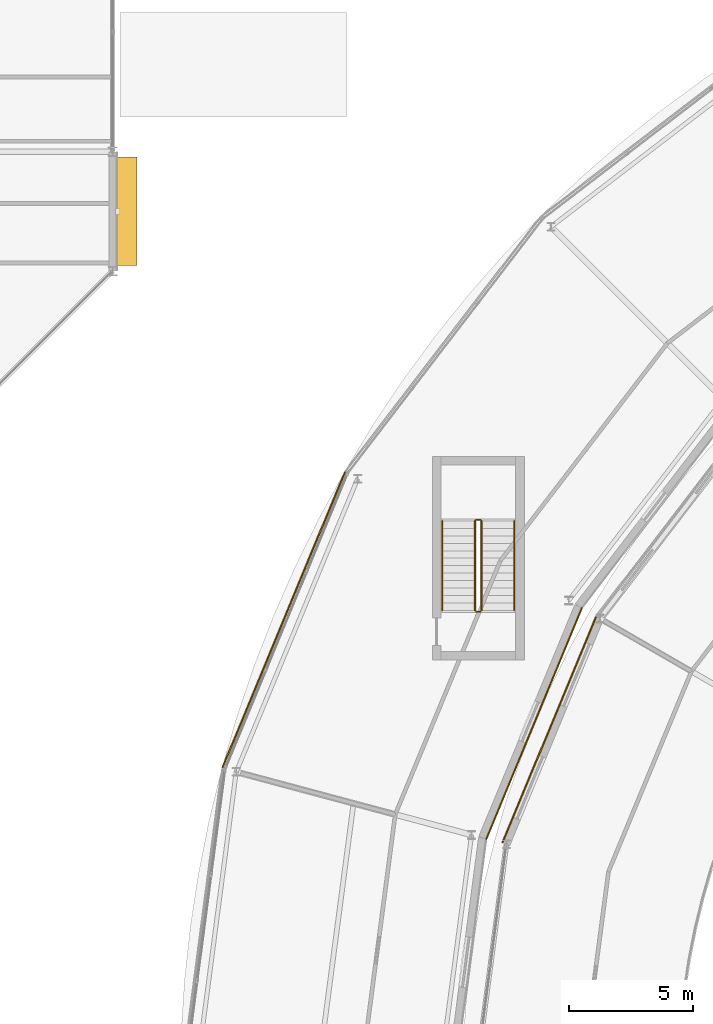
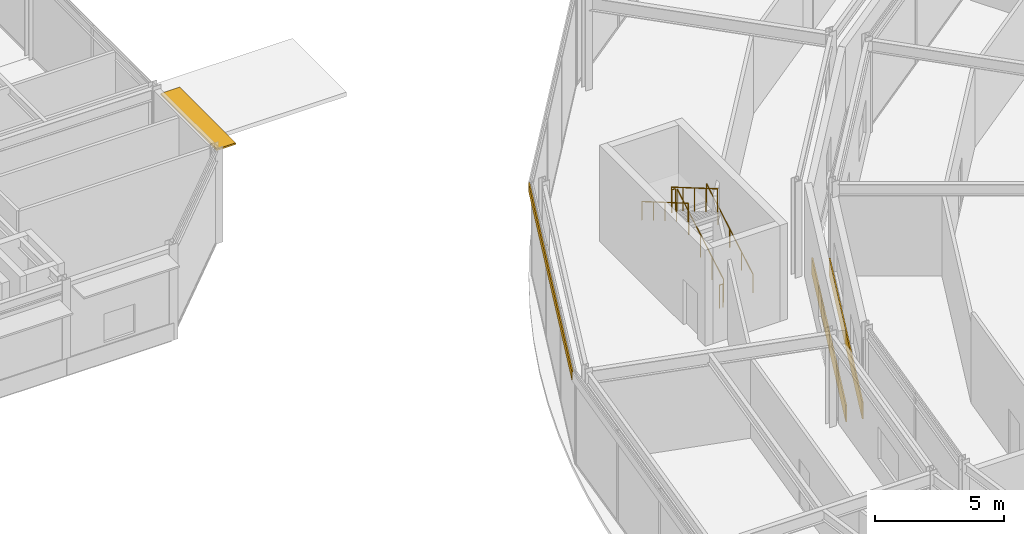
# One storey, part 121 of 133: 6 railings, 3 coverings, 1 shading device.
"""IFC4 building model written with IfcOpenShell, lengths in metres."""

from ifc_helpers import new_model, si_unit, direction, frame, origin, origin_2d, place, context, subcontext, project, spatial, rectangle, circle, extrude, material, layer, layer_set, type_object, element, save


model = new_model("IFC4")

# Units and contexts
model_context = context("Model", 3, precision=1e-05, world=origin(), true_north=direction((0.0, 1.0)))
body_context = subcontext(model_context, "Body", "Model", "MODEL_VIEW")
ifc_project = project(units=[si_unit("LENGTHUNIT", "METRE"), si_unit("AREAUNIT", "SQUARE_METRE"), si_unit("VOLUMEUNIT", "CUBIC_METRE"), si_unit("PLANEANGLEUNIT", "RADIAN"), si_unit("MASSUNIT", "GRAM", prefix="KILO")], contexts=[model_context])

# Site, building, storey
site_placement = place(None, origin())
site = spatial("IfcSite", under=ifc_project, at=site_placement, CompositionType="ELEMENT")
building_placement = place(site_placement, origin())
building = spatial("IfcBuilding", under=site, at=building_placement, Name="Almandine Court Research Institute", CompositionType="ELEMENT")
storey_placement = place(building_placement, frame((0.0, 0.0, 9.800048828125)))
storey = spatial("IfcBuildingStorey", under=building, at=storey_placement, Name="L02", CompositionType="ELEMENT", Elevation=9.800048828125)

# Coverings
ifc_material_1 = material(Name="Extruded Cream-Ochre Seismic Terracotta Spandrel", Category="masonry")
ifc_layer_1 = layer(ifc_material_1, 0.054931640625)
ifc_layer_set_1 = layer_set([ifc_layer_1], Name="Extruded Cream-Ochre Seismic Terracotta Spandrel")
covering_type = type_object("IfcCoveringType", Name="Cov-CLAD-TERR", PredefinedType="CLADDING", material=ifc_layer_set_1)
covering_1_placement = place(storey_placement, frame((41.676025390625, 74.77392578125, 3.97998046875), z_axis=(0.0, 0.0, 1.0), x_axis=(0.382683432365, 0.923879532511, 0.0)))
element("IfcCovering", 1, at=covering_1_placement, inside=storey, type_object=covering_type, Name="L02 Drum Stacked Terracotta Ring Band 10", PredefinedType="CLADDING", context=body_context, shape_type="SweptSolid", body=[
    extrude(rectangle(XDim=12.8779296875, YDim=0.054931640625, at=origin_2d()), origin(), (0.0, 0.0, 1.0), 0.419921875),
])
covering_2_placement = place(storey_placement, frame((51.74609375, 70.60302734375, 0.02001953125), z_axis=(0.0, 0.0, 1.0), x_axis=(-0.382683432365, -0.923879532511, 0.0)))
element("IfcCovering", 2, at=covering_2_placement, inside=storey, type_object=covering_type, Name="L02 Facade Spandrel Cladding Band 361", PredefinedType="CLADDING", context=body_context, shape_type="SweptSolid", body=[
    extrude(rectangle(XDim=10.080078125, YDim=0.054931640625, at=origin_2d()), origin(), (0.0, 0.0, 1.0), 0.800048828125),
])
covering_3_placement = place(storey_placement, frame((52.35595703125, 70.35009765625, 0.02001953125), z_axis=(0.0, 0.0, 1.0), x_axis=(0.382683432365, 0.923879532511, 0.0)))
element("IfcCovering", 3, at=covering_3_placement, inside=storey, type_object=covering_type, Name="L02 Facade Spandrel Cladding Band 461", PredefinedType="CLADDING", context=body_context, shape_type="SweptSolid", body=[
    extrude(rectangle(XDim=9.821044921875, YDim=0.054931640625, at=origin_2d()), origin(), (0.0, 0.0, 1.0), 0.800048828125),
])

# Railings
ifc_material_2 = material(Name="Powder-Coated Steel Stair and Atrium Balustrade", Category="steel")
railing_type_1 = type_object("IfcRailingType", Name="Rail-GUARD-INT", PredefinedType="BALUSTRADE", material=ifc_material_2)
railing_1_placement = place(storey_placement, frame((49.6298828125, 75.14990234375, 0.175048828125)))
element("IfcRailing", 4, at=railing_1_placement, inside=storey, type_object=railing_type_1, Name="L02 ST-15 stair guard 1", PredefinedType="BALUSTRADE", context=body_context, shape_type="SweptSolid", body=[
    extrude(circle(Radius=0.02392578125, at=origin_2d()), frame((0.0, 0.0, 1.09619140625), z_axis=(0.0, 0.863800146258, 0.503834603144), x_axis=(-1.0, 0.0, 0.0)), (0.0, 0.0, 1.0), 4.167724609375),
    extrude(circle(Radius=0.02099609375, at=origin_2d()), origin(), (0.0, 0.0, 1.0), 1.072021484375),
    extrude(circle(Radius=0.02099609375, at=origin_2d()), frame((0.0, 0.89990234375, 0.52490234375)), (0.0, 0.0, 1.0), 1.072021484375),
    extrude(circle(Radius=0.02099609375, at=origin_2d()), frame((0.0, 1.800048828125, 1.0498046875)), (0.0, 0.0, 1.0), 1.072021484375),
    extrude(circle(Radius=0.02099609375, at=origin_2d()), frame((0.0, 2.7001953125, 1.574951171875)), (0.0, 0.0, 1.0), 1.072021484375),
    extrude(circle(Radius=0.02099609375, at=origin_2d()), frame((0.0, 3.60009765625, 2.099853515625)), (0.0, 0.0, 1.0), 1.072021484375),
])
railing_2_placement = place(storey_placement, frame((49.580078125, 78.800048828125, 2.27490234375)))
element("IfcRailing", 5, at=railing_2_placement, inside=storey, type_object=railing_type_1, Name="L02 ST-15 stair guard 2", PredefinedType="BALUSTRADE", context=body_context, shape_type="SweptSolid", body=[
    extrude(circle(Radius=0.02392578125, at=origin_2d()), frame((0.0, 0.0, 1.09619140625), z_axis=(-1.0, 0.0, 0.0), x_axis=(0.0, -1.0, 0.0)), (0.0, 0.0, 1.0), 0.16015625),
    extrude(circle(Radius=0.02099609375, at=origin_2d()), origin(), (0.0, 0.0, 1.0), 1.072021484375),
    extrude(circle(Radius=0.02099609375, at=origin_2d()), frame((-0.16015625, 0.0, 0.0)), (0.0, 0.0, 1.0), 1.072021484375),
])
railing_3_placement = place(storey_placement, frame((49.3701171875, 78.75, 2.449951171875)))
element("IfcRailing", 6, at=railing_3_placement, inside=storey, type_object=railing_type_1, Name="L02 ST-15 stair guard 3", PredefinedType="BALUSTRADE", context=body_context, shape_type="SweptSolid", body=[
    extrude(circle(Radius=0.02392578125, at=origin_2d()), frame((0.0, 0.0, 1.09619140625), z_axis=(0.0, -0.863774651768, 0.503878309678), x_axis=(1.0, 0.0, 0.0)), (0.0, 0.0, 1.0), 4.16796875),
    extrude(circle(Radius=0.02099609375, at=origin_2d()), origin(), (0.0, 0.0, 1.0), 1.072021484375),
    extrude(circle(Radius=0.02099609375, at=origin_2d()), frame((0.0, -0.89990234375, 0.52490234375)), (0.0, 0.0, 1.0), 1.072021484375),
    extrude(circle(Radius=0.02099609375, at=origin_2d()), frame((0.0, -1.800048828125, 1.050048828125)), (0.0, 0.0, 1.0), 1.072021484375),
    extrude(circle(Radius=0.02099609375, at=origin_2d()), frame((0.0, -2.7001953125, 1.5751953125)), (0.0, 0.0, 1.0), 1.072021484375),
    extrude(circle(Radius=0.02099609375, at=origin_2d()), frame((0.0, -3.60009765625, 2.10009765625)), (0.0, 0.0, 1.0), 1.072021484375),
])
railing_4_placement = place(storey_placement, frame((49.580078125, 75.10009765625, 0.0)))
element("IfcRailing", 7, at=railing_4_placement, inside=storey, type_object=railing_type_1, Name="L02 ST-15 stair guard 4", PredefinedType="BALUSTRADE", context=body_context, shape_type="SweptSolid", body=[
    extrude(circle(Radius=0.02392578125, at=origin_2d()), frame((0.0, 0.0, 1.09619140625), z_axis=(-1.0, 0.0, 0.0), x_axis=(0.0, -1.0, 0.0)), (0.0, 0.0, 1.0), 0.16015625),
    extrude(circle(Radius=0.02099609375, at=origin_2d()), origin(), (0.0, 0.0, 1.0), 1.072021484375),
    extrude(circle(Radius=0.02099609375, at=origin_2d()), frame((-0.16015625, 0.0, 0.0)), (0.0, 0.0, 1.0), 1.072021484375),
])
ifc_material_3 = material(Name="Brushed Stainless Steel Wall Handrail", Category="steel")
railing_type_2 = type_object("IfcRailingType", Name="Rail-HAND-INT", PredefinedType="HANDRAIL", material=ifc_material_3)
railing_5_placement = place(storey_placement, frame((50.949951171875, 75.14990234375, 0.175048828125)))
element("IfcRailing", 8, at=railing_5_placement, inside=storey, type_object=railing_type_2, Name="L02 ST-15 stair handrail 1", PredefinedType="HANDRAIL", context=body_context, shape_type="SweptSolid", body=[
    extrude(circle(Radius=0.02392578125, at=origin_2d()), frame((0.0, 0.0, 0.8759765625), z_axis=(0.0, 0.863800146258, 0.503834603144), x_axis=(-1.0, 0.0, 0.0)), (0.0, 0.0, 1.0), 4.167724609375),
    extrude(circle(Radius=0.02099609375, at=origin_2d()), origin(), (0.0, 0.0, 1.0), 0.851806640625),
    extrude(circle(Radius=0.02099609375, at=origin_2d()), frame((0.0, 0.89990234375, 0.52490234375)), (0.0, 0.0, 1.0), 0.851806640625),
    extrude(circle(Radius=0.02099609375, at=origin_2d()), frame((0.0, 1.800048828125, 1.0498046875)), (0.0, 0.0, 1.0), 0.851806640625),
    extrude(circle(Radius=0.02099609375, at=origin_2d()), frame((0.0, 2.7001953125, 1.574951171875)), (0.0, 0.0, 1.0), 0.851806640625),
    extrude(circle(Radius=0.02099609375, at=origin_2d()), frame((0.0, 3.60009765625, 2.099853515625)), (0.0, 0.0, 1.0), 0.851806640625),
])
railing_6_placement = place(storey_placement, frame((48.050048828125, 78.75, 2.449951171875)))
element("IfcRailing", 9, at=railing_6_placement, inside=storey, type_object=railing_type_2, Name="L02 ST-15 stair handrail 2", PredefinedType="HANDRAIL", context=body_context, shape_type="SweptSolid", body=[
    extrude(circle(Radius=0.02392578125, at=origin_2d()), frame((0.0, 0.0, 0.8759765625), z_axis=(0.0, -0.863774651768, 0.503878309678), x_axis=(1.0, 0.0, 0.0)), (0.0, 0.0, 1.0), 4.16796875),
    extrude(circle(Radius=0.02099609375, at=origin_2d()), origin(), (0.0, 0.0, 1.0), 0.851806640625),
    extrude(circle(Radius=0.02099609375, at=origin_2d()), frame((0.0, -0.89990234375, 0.52490234375)), (0.0, 0.0, 1.0), 0.851806640625),
    extrude(circle(Radius=0.02099609375, at=origin_2d()), frame((0.0, -1.800048828125, 1.050048828125)), (0.0, 0.0, 1.0), 0.851806640625),
    extrude(circle(Radius=0.02099609375, at=origin_2d()), frame((0.0, -2.7001953125, 1.5751953125)), (0.0, 0.0, 1.0), 0.851806640625),
    extrude(circle(Radius=0.02099609375, at=origin_2d()), frame((0.0, -3.60009765625, 2.10009765625)), (0.0, 0.0, 1.0), 0.851806640625),
])

# Shading device
ifc_material_4 = material(Name="Precast GFRC Chhajja Sunshade and Acoustic Louvre", Category="concrete")
ifc_layer_2 = layer(ifc_material_4, 0.080078125)
ifc_layer_set_2 = layer_set([ifc_layer_2], Name="Precast GFRC Chhajja Sunshade and Acoustic Louvre")
shading_device_type = type_object("IfcShadingDeviceType", Name="Shd-SD-21", PredefinedType="AWNING", material=ifc_layer_set_2)
shading_device_placement = place(storey_placement, frame((35.360107421875, 91.199951171875, 4.08984375), z_axis=(0.0, 0.0, 1.0), x_axis=(0.0, -1.0, 0.0)))
element("IfcShadingDevice", 10, at=shading_device_placement, inside=storey, type_object=shading_device_type, Name="L02 Projecting Chhajja Sunshade 33", PredefinedType="AWNING", context=body_context, shape_type="SweptSolid", body=[
    extrude(rectangle(XDim=4.362060546875, YDim=0.85009765625, at=origin_2d()), origin(), (0.0, 0.0, 1.0), 0.080078125),
])

save(model, "model.ifc")
